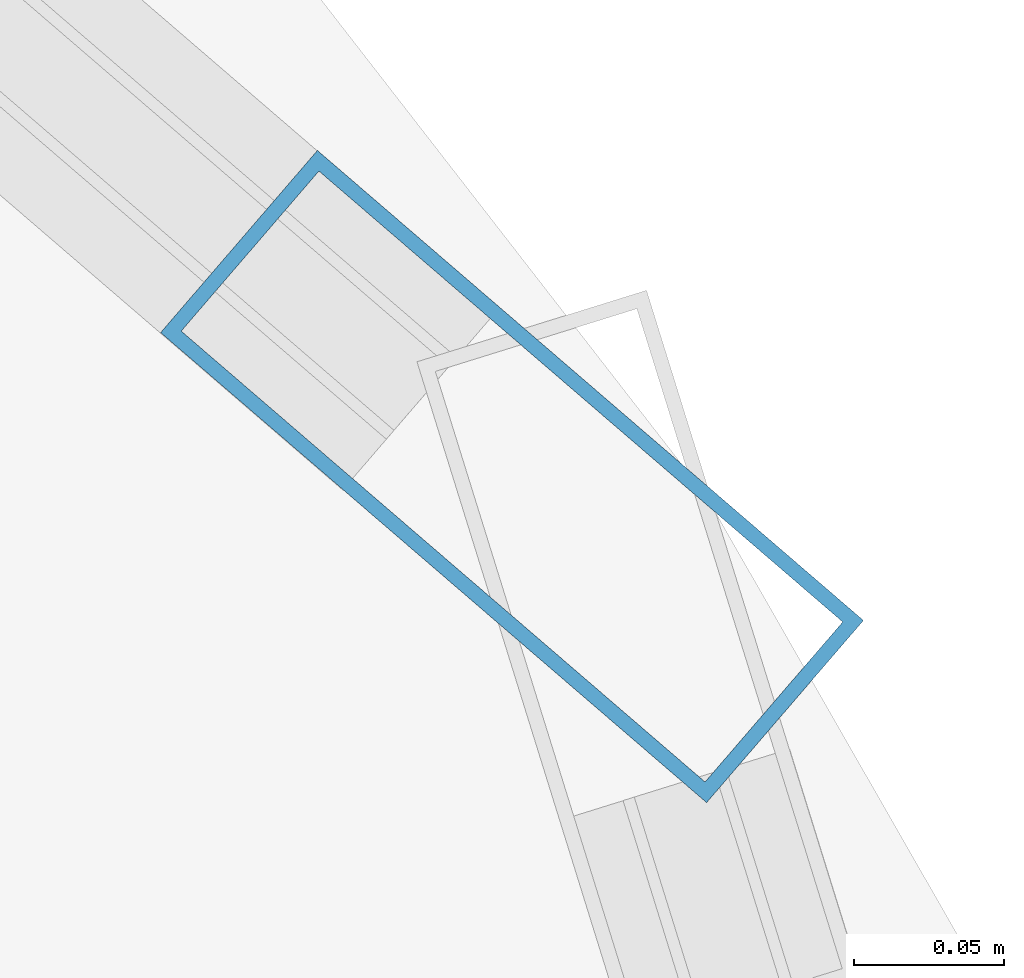
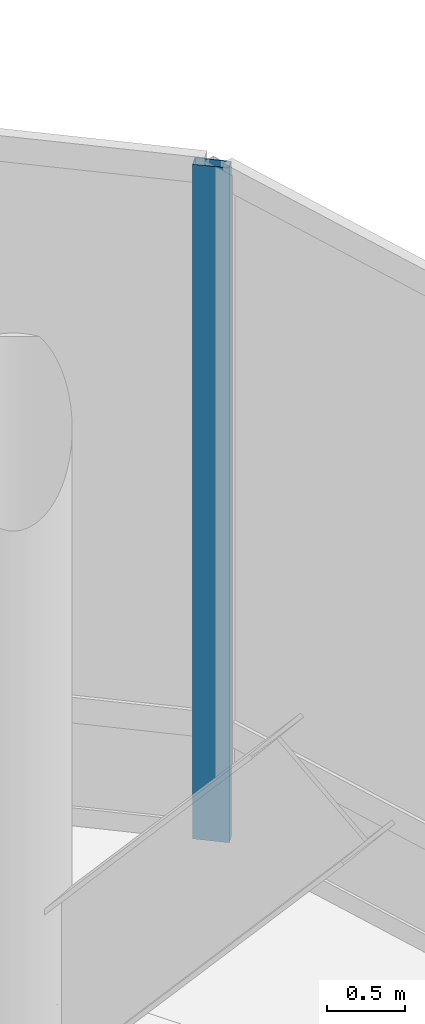
# One storey, part 12 of 26: 1 member, 1 element without a shape of its own.
"""IFC4 building model written with IfcOpenShell, lengths in metres."""

from ifc_helpers import new_model, si_unit, direction, frame, origin, origin_2d, place, context, subcontext, project, spatial, hollow_rectangle, extrude, material, layer, layer_set, material_profile, profile_set, type_object, element, aggregate, save


model = new_model("IFC4")

# Units and contexts
model_context = context("Model", 3, precision=1e-05, world=origin(), true_north=direction((0.0, 1.0)))
body_context = subcontext(model_context, "Body", "Model", "MODEL_VIEW")
ifc_project = project(units=[si_unit("LENGTHUNIT", "METRE"), si_unit("AREAUNIT", "SQUARE_METRE"), si_unit("VOLUMEUNIT", "CUBIC_METRE"), si_unit("PLANEANGLEUNIT", "RADIAN"), si_unit("MASSUNIT", "GRAM", prefix="KILO")], contexts=[model_context])

# Site, building, storey
site_placement = place(None, origin())
site = spatial("IfcSite", under=ifc_project, at=site_placement, CompositionType="ELEMENT")
building_placement = place(site_placement, origin())
building = spatial("IfcBuilding", under=site, at=building_placement, Name="Nuhasar Tower", CompositionType="ELEMENT")
storey_placement = place(building_placement, frame((0.0, 0.0, 301.199951171875)))
storey = spatial("IfcBuildingStorey", under=building, at=storey_placement, Name="L75", CompositionType="ELEMENT", Elevation=301.199951171875)

# Curtain wall, member
ifc_material = material(Name="Aluminium 6063-T6", Category="aluminium")
ifc_layer = layer(ifc_material, 0.219970703125)
ifc_layer_set = layer_set([ifc_layer], Name="Aluminium 6063-T6")
curtain_wall_type = type_object("IfcCurtainWallType", Name="CW-CROWN", PredefinedType="NOTDEFINED", material=ifc_layer_set)
curtain_wall_placement = place(storey_placement, origin())
curtain_wall = element("IfcCurtainWall", 1, at=curtain_wall_placement, inside=storey, type_object=curtain_wall_type, Name="L75 Unitised Curtain Wall 02", PredefinedType="NOTDEFINED")
ifc_material_profile = material_profile(ifc_material, hollow_rectangle(XDim=0.080078125, YDim=0.239990234375, WallThickness=0.0048828125, at=origin_2d()), Name="CWM-7")
ifc_profile_set = profile_set([ifc_material_profile], Name="Aluminium 6063-T6")
member_type = type_object("IfcMemberType", Name="CW-MUL-S7", PredefinedType="MULLION", material=ifc_profile_set)
member_placement = place(storey_placement, frame((57.6416015625, 36.106201171875, 0.0), z_axis=(0.0, 0.0, 1.0), x_axis=(-0.652363814796, -0.757905965898, 0.0)))
member = element("IfcMember", 2, at=member_placement, type_object=member_type, Name="CW-CR mullion 1", PredefinedType="MULLION", context=body_context, shape_type="SweptSolid", body=[
    extrude(hollow_rectangle(XDim=0.080078125, YDim=0.239990234375, WallThickness=0.0048828125, at=origin_2d()), origin(), (0.0, 0.0, 1.0), 5.25),
])
aggregate(curtain_wall, [member])

save(model, "model.ifc")
